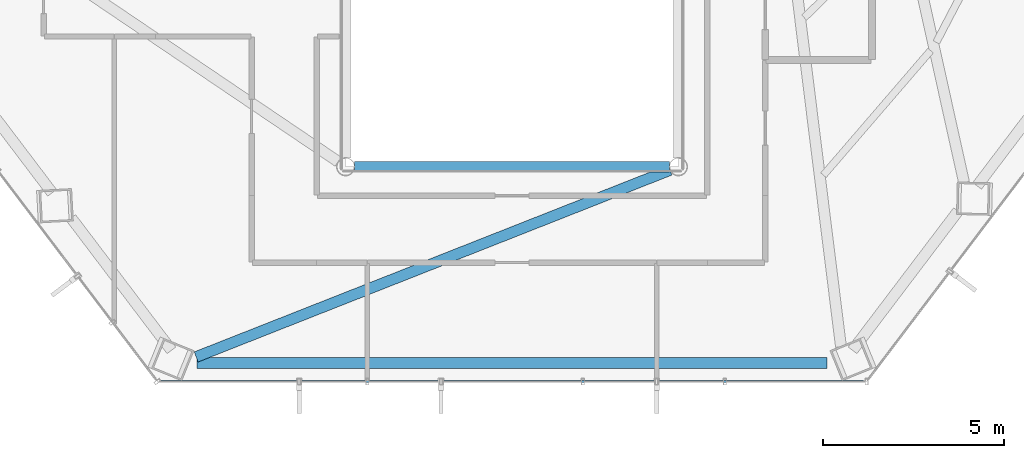
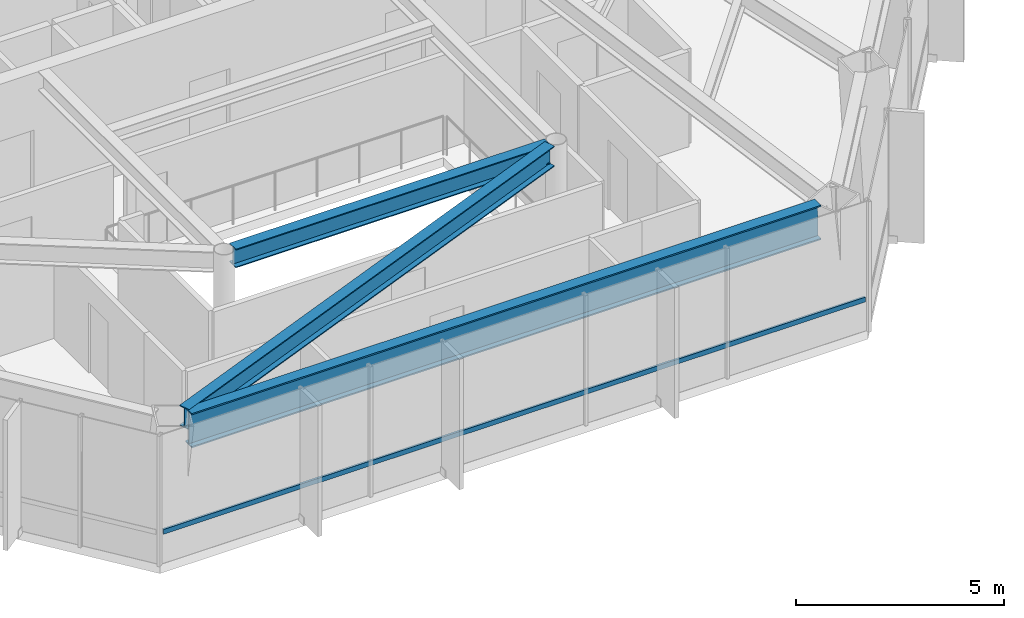
# One storey, part 7 of 26: 3 beams, 1 member, 1 element without a shape of its own.
"""IFC4 building model written with IfcOpenShell, lengths in metres."""

from ifc_helpers import new_model, si_unit, direction, frame, origin, origin_2d, place, context, subcontext, project, spatial, hollow_rectangle, i_section, extrude, material, layer, layer_set, material_profile, profile_set, type_object, element, aggregate, save


model = new_model("IFC4")

# Units and contexts
model_context = context("Model", 3, precision=1e-05, world=origin(), true_north=direction((0.0, 1.0)))
body_context = subcontext(model_context, "Body", "Model", "MODEL_VIEW")
ifc_project = project(units=[si_unit("LENGTHUNIT", "METRE"), si_unit("AREAUNIT", "SQUARE_METRE"), si_unit("VOLUMEUNIT", "CUBIC_METRE"), si_unit("PLANEANGLEUNIT", "RADIAN"), si_unit("MASSUNIT", "GRAM", prefix="KILO")], contexts=[model_context])

# Site, building, storey
site_placement = place(None, origin())
site = spatial("IfcSite", under=ifc_project, at=site_placement, CompositionType="ELEMENT")
building_placement = place(site_placement, origin())
building = spatial("IfcBuilding", under=site, at=building_placement, Name="Zarrinselat Tower", CompositionType="ELEMENT")
storey_placement = place(building_placement, frame((0.0, 0.0, 92.820068359375)))
storey = spatial("IfcBuildingStorey", under=building, at=storey_placement, Name="L22", CompositionType="ELEMENT", Elevation=92.820068359375)

# Beams
ifc_material_1 = material(Name="Steel S355J2", Category="steel")
ifc_material_profile_1 = material_profile(ifc_material_1, i_section(OverallWidth=0.300048828125, OverallDepth=0.550048828125, WebThickness=0.014892578125, FlangeThickness=0.029052734375, at=origin_2d()), Name="HEB 550")
ifc_profile_set_1 = profile_set([ifc_material_profile_1], Name="Steel S355J2")
beam_type_1 = type_object("IfcBeamType", Name="BM-HEB550", PredefinedType="BEAM", material=ifc_profile_set_1)
beam_1_placement = place(storey_placement, frame((34.0400390625, 24.39990234375, 3.544921875), z_axis=(1.0, 0.0, 0.0), x_axis=(0.0, 1.0, 0.0)))
element("IfcBeam", 1, at=beam_1_placement, inside=storey, type_object=beam_type_1, Name="L22 Atrium Edge Beam S", PredefinedType="BEAM", context=body_context, shape_type="SweptSolid", body=[
    extrude(i_section(OverallWidth=0.300048828125, OverallDepth=0.550048828125, WebThickness=0.014892578125, FlangeThickness=0.029052734375, at=origin_2d()), origin(), (0.0, 0.0, 1.0), 8.719970703125),
])
ifc_material_2 = material(Name="Steel S355J2", Category="steel")
ifc_material_profile_2 = material_profile(ifc_material_2, i_section(OverallWidth=0.300048828125, OverallDepth=0.60009765625, WebThickness=0.015380859375, FlangeThickness=0.030029296875, at=origin_2d()), Name="HEB 600")
ifc_profile_set_2 = profile_set([ifc_material_profile_2], Name="Steel S355J2")
beam_type_2 = type_object("IfcBeamType", Name="BM-HEB600", PredefinedType="BEAM", material=ifc_profile_set_2)
beam_2_placement = place(storey_placement, frame((29.669677734375, 19.1416015625, 3.52001953125), z_axis=(0.930237169261, 0.366958865439, 0.0), x_axis=(-0.366958865439, 0.930237169261, 0.0)))
element("IfcBeam", 2, at=beam_2_placement, inside=storey, type_object=beam_type_2, Name="L22 Radial Primary Girder RG10", PredefinedType="BEAM", context=body_context, shape_type="SweptSolid", body=[
    extrude(i_section(OverallWidth=0.300048828125, OverallDepth=0.60009765625, WebThickness=0.015380859375, FlangeThickness=0.030029296875, at=origin_2d()), origin(), (0.0, 0.0, 1.0), 14.079833984375),
])
ifc_material_3 = material(Name="Steel S460M", Category="steel")
ifc_material_profile_3 = material_profile(ifc_material_3, i_section(OverallWidth=0.302001953125, OverallDepth=1.008056640625, WebThickness=0.02099609375, FlangeThickness=0.0400390625, at=origin_2d()), Name="HEM 1000")
ifc_profile_set_3 = profile_set([ifc_material_profile_3], Name="Steel S460M")
beam_type_3 = type_object("IfcBeamType", Name="BM-HEM1000", PredefinedType="BEAM", material=ifc_profile_set_3)
beam_3_placement = place(storey_placement, frame((29.68701171875, 18.9755859375, 3.31591796875), z_axis=(1.0, 0.0, 0.0), x_axis=(0.0, 1.0, 0.0)))
element("IfcBeam", 3, at=beam_3_placement, inside=storey, type_object=beam_type_3, Name="L22 Perimeter Spandrel Girder SP10", PredefinedType="BEAM", context=body_context, shape_type="SweptSolid", body=[
    extrude(i_section(OverallWidth=0.302001953125, OverallDepth=1.008056640625, WebThickness=0.02099609375, FlangeThickness=0.0400390625, at=origin_2d()), origin(), (0.0, 0.0, 1.0), 17.42578125),
])

# Curtain wall, member
ifc_material_4 = material(Name="Extruded Aluminium Alloy EN AW-6063 T6", Category="aluminium")
ifc_layer = layer(ifc_material_4, 0.18505859375)
ifc_layer_set = layer_set([ifc_layer], Name="Extruded Aluminium Alloy EN AW-6063 T6")
curtain_wall_type = type_object("IfcCurtainWallType", Name="CWS-OFF", PredefinedType="NOTDEFINED", material=ifc_layer_set)
curtain_wall_placement = place(storey_placement, origin())
curtain_wall = element("IfcCurtainWall", 4, at=curtain_wall_placement, inside=storey, type_object=curtain_wall_type, Name="L22 Unitised Curtain Wall CW-L22-E04", PredefinedType="NOTDEFINED")
ifc_material_5 = material(Name="Extruded Aluminium Alloy EN AW-6063 T6", Category="aluminium")
ifc_material_profile_4 = material_profile(ifc_material_5, hollow_rectangle(XDim=0.06005859375, YDim=0.139892578125, WallThickness=0.00390625, at=origin_2d()), Name="RHS 140x60x4")
ifc_profile_set_4 = profile_set([ifc_material_profile_4], Name="Extruded Aluminium Alloy EN AW-6063 T6")
member_type = type_object("IfcMemberType", Name="MEM-CW-TRN", PredefinedType="USERDEFINED", material=ifc_profile_set_4)
member_placement = place(storey_placement, frame((28.684326171875, 18.4599609375, 0.949951171875), z_axis=(1.0, 0.0, 0.0), x_axis=(0.0, 1.0, 0.0)))
member = element("IfcMember", 5, at=member_placement, type_object=member_type, Name="CW-L22-E04 Transom 1", ObjectType="TRANSOM", PredefinedType="USERDEFINED", context=body_context, shape_type="SweptSolid", body=[
    extrude(hollow_rectangle(XDim=0.06005859375, YDim=0.139892578125, WallThickness=0.00390625, at=origin_2d()), origin(), (0.0, 0.0, 1.0), 19.43115234375),
])
aggregate(curtain_wall, [member])

save(model, "model.ifc")
